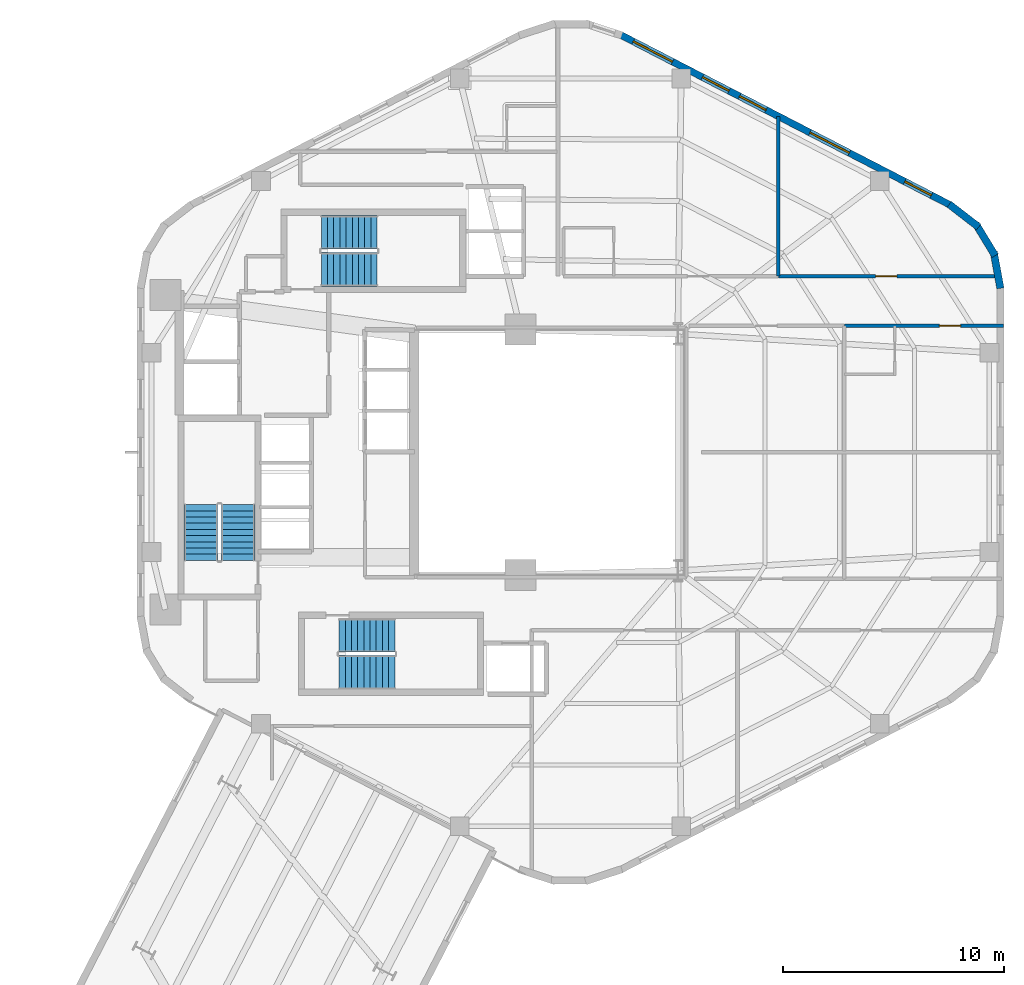
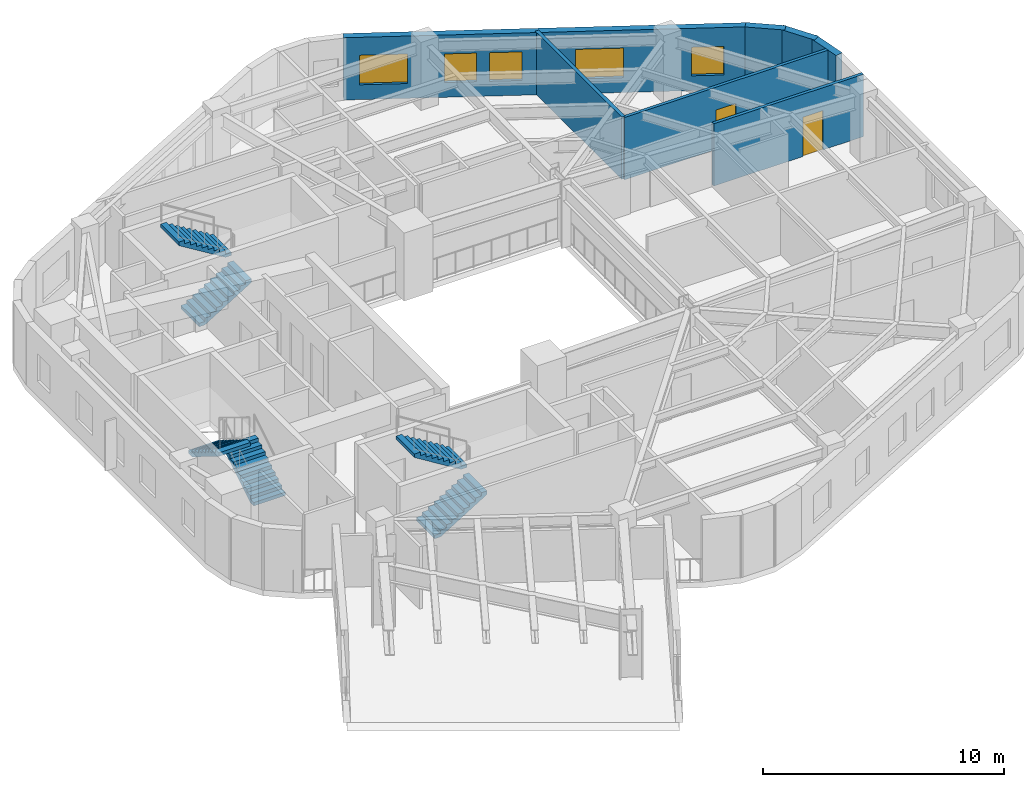
# One storey, part 8 of 9: 7 walls, 6 stair flights, 5 windows, 2 doors, 7 openings, 3 elements without a shape of their own.
"""IFC4 building model written with IfcOpenShell, lengths in metres."""

from ifc_helpers import new_model, si_unit, direction, frame, frame_2d, origin, place, context, subcontext, project, spatial, polyline, rectangle, outline, extrude, material, layer, layer_set, type_object, element, fill, aggregate, save


model = new_model("IFC4")

# Units and contexts
model_context = context("Model", 3, precision=1e-05, world=origin(), true_north=direction((0.0, 1.0)))
body_context = subcontext(model_context, "Body", "Model", "MODEL_VIEW")
ifc_project = project(units=[si_unit("LENGTHUNIT", "METRE"), si_unit("AREAUNIT", "SQUARE_METRE"), si_unit("VOLUMEUNIT", "CUBIC_METRE"), si_unit("PLANEANGLEUNIT", "RADIAN"), si_unit("MASSUNIT", "GRAM", prefix="KILO"), si_unit("THERMODYNAMICTEMPERATUREUNIT", "KELVIN"), si_unit("POWERUNIT", "WATT")], contexts=[model_context])

# Site, building, storey
site_placement = place(None, origin())
site = spatial("IfcSite", under=ifc_project, at=site_placement, CompositionType="ELEMENT")
building_placement = place(site_placement, origin())
building = spatial("IfcBuilding", under=site, at=building_placement, Name="Skarre Station Tower", CompositionType="ELEMENT")
storey_placement = place(building_placement, frame((0.0, 0.0, 177.449951171875)))
storey = spatial("IfcBuildingStorey", under=building, at=storey_placement, Name="L48", CompositionType="ELEMENT", Elevation=177.449951171875)

# Wall, opening, door
ifc_material_1 = material(Name="Acoustic Steel-Stud Gypsum Partition", Category="steel")
ifc_layer_1 = layer(ifc_material_1, 0.14990234375, Name="Acoustic Steel-Stud Gypsum Partition")
ifc_layer_set_1 = layer_set([ifc_layer_1], Name="Acoustic Steel-Stud Gypsum Partition")
wall_type_1 = type_object("IfcWallType", Name="Fire-Rated Corridor Acoustic Partition 150", PredefinedType="PARTITIONING", material=ifc_layer_set_1)
wall_1_placement = place(storey_placement, frame((53.969970703125, 31.9599609375, 0.0), z_axis=(0.0, 0.0, 1.0), x_axis=(-1.0, 0.0, 0.0)))
wall_1 = element("IfcWall", 1, at=wall_1_placement, inside=storey, type_object=wall_type_1, Name="L48 Interior Partition WL-PT-L48-NW2-CW", PredefinedType="PARTITIONING", context=body_context, shape_type="SweptSolid", body=[
    extrude(rectangle(XDim=9.974853515625, YDim=0.14990234375, at=frame_2d((4.9873046875, 0.0))), origin(), (0.0, 0.0, 1.0), 3.16015625),
])
opening_1_placement = place(wall_1_placement, frame((4.626953125, 0.0, 0.0)))
opening_1 = element("IfcOpeningElement", 2, at=opening_1_placement, cuts=wall_1, Name="Opening DR-FD60", PredefinedType="OPENING", context=body_context, shape_type="SweptSolid", body=[
    extrude(rectangle(XDim=0.9599609375, YDim=2.0, at=frame_2d((0.47998046875, 1.0))), frame((0.0, 0.0849609375, 0.0), z_axis=(0.0, -1.0, 0.0), x_axis=(1.0, 0.0, 0.0)), (0.0, 0.0, 1.0), 0.169921875),
])
ifc_material_2 = material(Name="Nordic White-Oak Veneer Solid-Core Fire Leaf", Category="wood")
door_type = type_object("IfcDoorType", Name="Corridor Suite Entry Fire Door FD60 960x2150", OperationType="SINGLE_SWING_LEFT", PredefinedType="DOOR", material=ifc_material_2)
door_1_placement = place(opening_1_placement, origin())
door_1 = element("IfcDoor", 3, at=door_1_placement, inside=storey, type_object=door_type, Name="L48 NW2 Entry Door", OperationType="SINGLE_SWING_LEFT", OverallHeight=2.0, OverallWidth=0.9599609375, PredefinedType="DOOR", context=body_context, shape_type="SweptSolid", body=[
    extrude(rectangle(XDim=0.9599609375, YDim=2.0, at=frame_2d((0.47998046875, 1.0))), frame((0.0, 0.02490234375, 0.0), z_axis=(0.0, -1.0, 0.0), x_axis=(1.0, 0.0, 0.0)), (0.0, 0.0, 1.0), 0.050048828125),
])
fill(opening_1, door_1)

wall_2_placement = place(storey_placement, frame((46.986083984375, 29.7099609375, 0.0), z_axis=(0.0, 0.0, 1.0), x_axis=(1.0, 0.0, 0.0)))
wall_2 = element("IfcWall", 4, at=wall_2_placement, inside=storey, type_object=wall_type_1, Name="L48 Interior Partition WL-PT-L48-EWN2-CW", PredefinedType="PARTITIONING", context=body_context, shape_type="SweptSolid", body=[
    extrude(rectangle(XDim=7.176025390625, YDim=0.14990234375, at=frame_2d((3.587890625, 0.0))), origin(), (0.0, 0.0, 1.0), 3.16015625),
])
opening_2_placement = place(wall_2_placement, frame((4.282958984375, 0.0, 0.0)))
opening_2 = element("IfcOpeningElement", 5, at=opening_2_placement, cuts=wall_2, Name="Opening DR-FD60", PredefinedType="OPENING", context=body_context, shape_type="SweptSolid", body=[
    extrude(rectangle(XDim=0.9599609375, YDim=2.0, at=frame_2d((0.47998046875, 1.0))), frame((0.0, 0.0849609375, 0.0), z_axis=(0.0, -1.0, 0.0), x_axis=(1.0, 0.0, 0.0)), (0.0, 0.0, 1.0), 0.169921875),
])
door_2_placement = place(opening_2_placement, origin())
door_2 = element("IfcDoor", 6, at=door_2_placement, inside=storey, type_object=door_type, Name="L48 EWN2 Entry Door", OperationType="SINGLE_SWING_LEFT", OverallHeight=2.0, OverallWidth=0.9599609375, PredefinedType="DOOR", context=body_context, shape_type="SweptSolid", body=[
    extrude(rectangle(XDim=0.9599609375, YDim=2.0, at=frame_2d((0.47998046875, 1.0))), frame((0.0, 0.02490234375, 0.0), z_axis=(0.0, -1.0, 0.0), x_axis=(1.0, 0.0, 0.0)), (0.0, 0.0, 1.0), 0.050048828125),
])
fill(opening_2, door_2)

# Walls
ifc_material_3 = material(Name="Precast concrete C45/55", Category="concrete")
ifc_layer_2 = layer(ifc_material_3, 0.330078125, Name="Precast concrete C45/55")
ifc_layer_set_2 = layer_set([ifc_layer_2], Name="Precast concrete C45/55")
wall_type_2 = type_object("IfcWallType", Name="Nordic Rounded Corner Precast Wall 330", PredefinedType="STANDARD", material=ifc_layer_set_2)
wall_3_placement = place(storey_placement, frame((51.7109375, 35.199951171875, 0.0), z_axis=(0.0, 0.0, 1.0), x_axis=(0.791464279355, -0.611215423976, 0.0)))
element("IfcWall", 7, at=wall_3_placement, inside=storey, type_object=wall_type_2, Name="L48 Rounded Corner Precast Wall F0-1", PredefinedType="STANDARD", context=body_context, shape_type="SweptSolid", body=[
    extrude(rectangle(XDim=1.6767578125, YDim=0.330078125, at=frame_2d((0.83837890625, 0.0))), origin(), (0.0, 0.0, 1.0), 3.16015625),
])
wall_4_placement = place(storey_placement, frame((52.912109375, 34.31494140625, 0.0), z_axis=(0.0, 0.0, 1.0), x_axis=(0.520219286058, -0.85403272444, 0.0)))
element("IfcWall", 8, at=wall_4_placement, inside=storey, type_object=wall_type_2, Name="L48 Rounded Corner Precast Wall F0-2", PredefinedType="STANDARD", context=body_context, shape_type="SweptSolid", body=[
    extrude(rectangle(XDim=1.677734375, YDim=0.330078125, at=frame_2d((0.8388671875, 0.0))), origin(), (0.0, 0.0, 1.0), 3.16015625),
])
wall_5_placement = place(storey_placement, frame((53.718017578125, 33.056884765625, 0.0), z_axis=(0.0, 0.0, 1.0), x_axis=(0.180717642671, -0.983535019014, 0.0)))
element("IfcWall", 9, at=wall_5_placement, inside=storey, type_object=wall_type_2, Name="L48 Rounded Corner Precast Wall F0-3", PredefinedType="STANDARD", context=body_context, shape_type="SweptSolid", body=[
    extrude(rectangle(XDim=1.676513671875, YDim=0.330078125, at=frame_2d((0.83837890625, 0.0))), origin(), (0.0, 0.0, 1.0), 3.16015625),
])

# Wall, openings, windows
ifc_layer_3 = layer(ifc_material_3, 0.31005859375, Name="Precast concrete C45/55")
ifc_layer_set_3 = layer_set([ifc_layer_3], Name="Precast concrete C45/55")
wall_type_3 = type_object("IfcWallType", Name="Nordic Upper-Zone Precast Facet Wall 310", PredefinedType="STANDARD", material=ifc_layer_set_3)
wall_6_placement = place(storey_placement, frame((36.837890625, 42.87109375, 0.0), z_axis=(0.0, 0.0, 1.0), x_axis=(0.888626188278, -0.458632202867, 0.0)))
wall_6 = element("IfcWall", 10, at=wall_6_placement, inside=storey, type_object=wall_type_3, Name="L48 Facet 0 Nordic Precast Masonry Wall", PredefinedType="STANDARD", context=body_context, shape_type="SweptSolid", body=[
    extrude(rectangle(XDim=16.828369140625, YDim=0.31005859375, at=frame_2d((8.4140625, 0.0))), origin(), (0.0, 0.0, 1.0), 3.16015625),
])
opening_3_placement = place(wall_6_placement, frame((0.675048828125, 0.0, 0.75)))
opening_3 = element("IfcOpeningElement", 11, at=opening_3_placement, cuts=wall_6, Name="Opening WN-Z3A", PredefinedType="OPENING", context=body_context, shape_type="SweptSolid", body=[
    extrude(rectangle(XDim=2.0, YDim=1.5, at=frame_2d((1.0, 0.75))), frame((0.0, 0.1650390625, 0.0), z_axis=(0.0, -1.0, 0.0), x_axis=(1.0, 0.0, 0.0)), (0.0, 0.0, 1.0), 0.330078125),
])
opening_4_placement = place(wall_6_placement, frame((4.196044921875, 0.0, 0.75)))
opening_4 = element("IfcOpeningElement", 12, at=opening_4_placement, cuts=wall_6, Name="Opening WN-Z3B", PredefinedType="OPENING", context=body_context, shape_type="SweptSolid", body=[
    extrude(rectangle(XDim=1.35009765625, YDim=1.449951171875, at=frame_2d((0.675048828125, 0.72509765625))), frame((0.0, 0.1650390625, 0.0), z_axis=(0.0, -1.0, 0.0), x_axis=(1.0, 0.0, 0.0)), (0.0, 0.0, 1.0), 0.330078125),
])
opening_5_placement = place(wall_6_placement, frame((6.077880859375, 0.0, 0.75)))
opening_5 = element("IfcOpeningElement", 13, at=opening_5_placement, cuts=wall_6, Name="Opening WN-Z3B", PredefinedType="OPENING", context=body_context, shape_type="SweptSolid", body=[
    extrude(rectangle(XDim=1.35009765625, YDim=1.449951171875, at=frame_2d((0.675048828125, 0.72509765625))), frame((0.0, 0.1650390625, 0.0), z_axis=(0.0, -1.0, 0.0), x_axis=(1.0, 0.0, 0.0)), (0.0, 0.0, 1.0), 0.330078125),
])
opening_6_placement = place(wall_6_placement, frame((9.657958984375, 0.0, 0.75)))
opening_6 = element("IfcOpeningElement", 14, at=opening_6_placement, cuts=wall_6, Name="Opening WN-Z3A", PredefinedType="OPENING", context=body_context, shape_type="SweptSolid", body=[
    extrude(rectangle(XDim=2.0, YDim=1.5, at=frame_2d((1.0, 0.75))), frame((0.0, 0.1650390625, 0.0), z_axis=(0.0, -1.0, 0.0), x_axis=(1.0, 0.0, 0.0)), (0.0, 0.0, 1.0), 0.330078125),
])
opening_7_placement = place(wall_6_placement, frame((14.47802734375, 0.0, 0.75)))
opening_7 = element("IfcOpeningElement", 15, at=opening_7_placement, cuts=wall_6, Name="Opening WN-Z3B", PredefinedType="OPENING", context=body_context, shape_type="SweptSolid", body=[
    extrude(rectangle(XDim=1.35009765625, YDim=1.449951171875, at=frame_2d((0.675048828125, 0.72509765625))), frame((0.0, 0.1650390625, 0.0), z_axis=(0.0, -1.0, 0.0), x_axis=(1.0, 0.0, 0.0)), (0.0, 0.0, 1.0), 0.330078125),
])
ifc_material_4 = material(Name="Low-Iron Triple Glazing with Bronze Anodized Frame", Category="glass")
window_type_1 = type_object("IfcWindowType", Name="Nordic Hospitality Narrow Window 1350x1450", PartitioningType="SINGLE_PANEL", PredefinedType="WINDOW", material=ifc_material_4)
window_1_placement = place(opening_4_placement, origin())
window_1 = element("IfcWindow", 16, at=window_1_placement, inside=storey, type_object=window_type_1, Name="L48 Facade Window WL-FAC-L48-F0-2", OverallHeight=1.449951171875, OverallWidth=1.35009765625, PartitioningType="SINGLE_PANEL", PredefinedType="WINDOW", context=body_context, shape_type="SweptSolid", body=[
    extrude(rectangle(XDim=1.35009765625, YDim=1.449951171875, at=frame_2d((0.675048828125, 0.72509765625))), frame((0.0, 0.030029296875, 0.0), z_axis=(0.0, -1.0, 0.0), x_axis=(1.0, 0.0, 0.0)), (0.0, 0.0, 1.0), 0.06005859375),
])
fill(opening_4, window_1)
window_2_placement = place(opening_5_placement, origin())
window_2 = element("IfcWindow", 17, at=window_2_placement, inside=storey, type_object=window_type_1, Name="L48 Facade Window WL-FAC-L48-F0-3", OverallHeight=1.449951171875, OverallWidth=1.35009765625, PartitioningType="SINGLE_PANEL", PredefinedType="WINDOW", context=body_context, shape_type="SweptSolid", body=[
    extrude(rectangle(XDim=1.35009765625, YDim=1.449951171875, at=frame_2d((0.675048828125, 0.72509765625))), frame((0.0, 0.030029296875, 0.0), z_axis=(0.0, -1.0, 0.0), x_axis=(1.0, 0.0, 0.0)), (0.0, 0.0, 1.0), 0.06005859375),
])
fill(opening_5, window_2)
window_3_placement = place(opening_7_placement, origin())
window_3 = element("IfcWindow", 18, at=window_3_placement, inside=storey, type_object=window_type_1, Name="L48 Facade Window WL-FAC-L48-F0-5", OverallHeight=1.449951171875, OverallWidth=1.35009765625, PartitioningType="SINGLE_PANEL", PredefinedType="WINDOW", context=body_context, shape_type="SweptSolid", body=[
    extrude(rectangle(XDim=1.35009765625, YDim=1.449951171875, at=frame_2d((0.675048828125, 0.72509765625))), frame((0.0, 0.030029296875, 0.0), z_axis=(0.0, -1.0, 0.0), x_axis=(1.0, 0.0, 0.0)), (0.0, 0.0, 1.0), 0.06005859375),
])
fill(opening_7, window_3)
window_type_2 = type_object("IfcWindowType", Name="Nordic Hospitality Window 2000x1500", PartitioningType="SINGLE_PANEL", PredefinedType="WINDOW", material=ifc_material_4)
window_4_placement = place(opening_3_placement, origin())
window_4 = element("IfcWindow", 19, at=window_4_placement, inside=storey, type_object=window_type_2, Name="L48 Facade Window WL-FAC-L48-F0-1", OverallHeight=1.5, OverallWidth=2.0, PartitioningType="SINGLE_PANEL", PredefinedType="WINDOW", context=body_context, shape_type="SweptSolid", body=[
    extrude(rectangle(XDim=2.0, YDim=1.5, at=frame_2d((1.0, 0.75))), frame((0.0, 0.030029296875, 0.0), z_axis=(0.0, -1.0, 0.0), x_axis=(1.0, 0.0, 0.0)), (0.0, 0.0, 1.0), 0.06005859375),
])
fill(opening_3, window_4)
window_5_placement = place(opening_6_placement, origin())
window_5 = element("IfcWindow", 20, at=window_5_placement, inside=storey, type_object=window_type_2, Name="L48 Facade Window WL-FAC-L48-F0-4", OverallHeight=1.5, OverallWidth=2.0, PartitioningType="SINGLE_PANEL", PredefinedType="WINDOW", context=body_context, shape_type="SweptSolid", body=[
    extrude(rectangle(XDim=2.0, YDim=1.5, at=frame_2d((1.0, 0.75))), frame((0.0, 0.030029296875, 0.0), z_axis=(0.0, -1.0, 0.0), x_axis=(1.0, 0.0, 0.0)), (0.0, 0.0, 1.0), 0.06005859375),
])
fill(opening_6, window_5)

# Wall
ifc_layer_4 = layer(ifc_material_1, 0.1650390625, Name="Acoustic Steel-Stud Gypsum Partition")
ifc_layer_set_4 = layer_set([ifc_layer_4], Name="Acoustic Steel-Stud Gypsum Partition")
wall_type_4 = type_object("IfcWallType", Name="Suite Demising Acoustic Partition 165", PredefinedType="PARTITIONING", material=ifc_layer_set_4)
wall_7_placement = place(storey_placement, frame((43.989990234375, 31.969970703125, 0.0), z_axis=(0.0, 0.0, 1.0), x_axis=(0.0, 1.0, 0.0)))
element("IfcWall", 21, at=wall_7_placement, inside=storey, type_object=wall_type_4, Name="L48 Interior Partition WL-PT-L48-NW-P1", PredefinedType="PARTITIONING", context=body_context, shape_type="SweptSolid", body=[
    extrude(rectangle(XDim=7.193115234375, YDim=0.1650390625, at=frame_2d((3.5966796875, 0.0))), origin(), (0.0, 0.0, 1.0), 3.16015625),
])

# Stair, stair flights
ifc_material_5 = material(Name="Concrete C40/50", Category="concrete")
stair_type_1 = type_object("IfcStairType", Name="Reinforced Concrete Exit Stair ST-1", PredefinedType="HALF_TURN_STAIR", material=ifc_material_5)
stair_1_placement = place(storey_placement, origin())
stair_1 = element("IfcStair", 22, at=stair_1_placement, inside=storey, type_object=stair_type_1, Name="L48 Core Exit Stair ST-1", PredefinedType="HALF_TURN_STAIR")
stair_flight_type_1 = type_object("IfcStairFlightType", Name="Reinforced Concrete Stair Flight ST-1", PredefinedType="STRAIGHT", material=ifc_material_5)
stair_flight_1_placement = place(storey_placement, frame((19.590087890625, 19.1201171875, 0.0), z_axis=(0.0, 0.0, 1.0), x_axis=(0.0, 1.0, 0.0)))
stair_flight_1 = element("IfcStairFlight", 23, at=stair_flight_1_placement, type_object=stair_flight_type_1, Name="ST-1 flight 1", NumberOfRisers=10, NumberOfTreads=9, PredefinedType="STRAIGHT", RiserHeight=0.1725, TreadLength=0.28, context=body_context, shape_type="SweptSolid", body=[
    extrude(outline(polyline([(0.0, 0.0), (0.0, 0.172607421875), (0.280029296875, 0.172607421875), (0.280029296875, 0.344970703125), (0.56005859375, 0.344970703125), (0.56005859375, 0.517578125), (0.840087890625, 0.517578125), (0.840087890625, 0.68994140625), (1.1201171875, 0.68994140625), (1.1201171875, 0.862548828125), (1.39990234375, 0.862548828125), (1.39990234375, 1.034912109375), (1.679931640625, 1.034912109375), (1.679931640625, 1.20751953125), (1.9599609375, 1.20751953125), (1.9599609375, 1.3798828125), (2.239990234375, 1.3798828125), (2.239990234375, 1.552490234375), (2.52001953125, 1.552490234375), (2.52001953125, 1.72509765625), (2.52001953125, 1.37646484375), (0.285888671875, 0.0), (0.0, 0.0)])), frame((0.0, 0.760009765625, 0.0), z_axis=(0.0, -1.0, 0.0), x_axis=(1.0, 0.0, 0.0)), (0.0, 0.0, 1.0), 1.52001953125),
])
stair_flight_2_placement = place(storey_placement, frame((17.909912109375, 21.639892578125, 1.72509765625), z_axis=(0.0, 0.0, 1.0), x_axis=(0.0, -1.0, 0.0)))
stair_flight_2 = element("IfcStairFlight", 24, at=stair_flight_2_placement, type_object=stair_flight_type_1, Name="ST-1 flight 2", NumberOfRisers=10, NumberOfTreads=9, PredefinedType="STRAIGHT", RiserHeight=0.1725, TreadLength=0.28, context=body_context, shape_type="SweptSolid", body=[
    extrude(outline(polyline([(0.0, 0.0), (0.0, 0.172607421875), (0.280029296875, 0.172607421875), (0.280029296875, 0.344970703125), (0.56005859375, 0.344970703125), (0.56005859375, 0.517578125), (0.840087890625, 0.517578125), (0.840087890625, 0.68994140625), (1.1201171875, 0.68994140625), (1.1201171875, 0.862548828125), (1.39990234375, 0.862548828125), (1.39990234375, 1.034912109375), (1.679931640625, 1.034912109375), (1.679931640625, 1.20751953125), (1.9599609375, 1.20751953125), (1.9599609375, 1.3798828125), (2.239990234375, 1.3798828125), (2.239990234375, 1.552490234375), (2.52001953125, 1.552490234375), (2.52001953125, 1.72509765625), (2.52001953125, 1.37646484375), (0.285888671875, 0.0), (0.0, 0.0)])), frame((0.0, 0.760009765625, 0.0), z_axis=(0.0, -1.0, 0.0), x_axis=(1.0, 0.0, 0.0)), (0.0, 0.0, 1.0), 1.52001953125),
])
aggregate(stair_1, [stair_flight_1, stair_flight_2])

stair_type_2 = type_object("IfcStairType", Name="Reinforced Concrete Exit Stair ST-2", PredefinedType="HALF_TURN_STAIR", material=ifc_material_5)
stair_2_placement = place(storey_placement, origin())
stair_2 = element("IfcStair", 25, at=stair_2_placement, inside=storey, type_object=stair_type_2, Name="L48 Core Exit Stair ST-2", PredefinedType="HALF_TURN_STAIR")
stair_flight_type_2 = type_object("IfcStairFlightType", Name="Reinforced Concrete Stair Flight ST-2", PredefinedType="STRAIGHT", material=ifc_material_5)
stair_flight_3_placement = place(storey_placement, frame((24.14990234375, 14.06005859375, 0.0), z_axis=(0.0, 0.0, 1.0), x_axis=(1.0, 0.0, 0.0)))
stair_flight_3 = element("IfcStairFlight", 26, at=stair_flight_3_placement, type_object=stair_flight_type_2, Name="ST-2 flight 1", NumberOfRisers=10, NumberOfTreads=9, PredefinedType="STRAIGHT", RiserHeight=0.1725, TreadLength=0.28, context=body_context, shape_type="SweptSolid", body=[
    extrude(outline(polyline([(0.0, 0.0), (0.0, 0.172607421875), (0.280029296875, 0.172607421875), (0.280029296875, 0.344970703125), (0.56005859375, 0.344970703125), (0.56005859375, 0.517578125), (0.840087890625, 0.517578125), (0.840087890625, 0.68994140625), (1.1201171875, 0.68994140625), (1.1201171875, 0.862548828125), (1.39990234375, 0.862548828125), (1.39990234375, 1.034912109375), (1.679931640625, 1.034912109375), (1.679931640625, 1.20751953125), (1.9599609375, 1.20751953125), (1.9599609375, 1.3798828125), (2.239990234375, 1.3798828125), (2.239990234375, 1.552490234375), (2.52001953125, 1.552490234375), (2.52001953125, 1.72509765625), (2.52001953125, 1.37646484375), (0.285888671875, 0.0), (0.0, 0.0)])), frame((0.0, 0.760009765625, 0.0), z_axis=(0.0, -1.0, 0.0), x_axis=(1.0, 0.0, 0.0)), (0.0, 0.0, 1.0), 1.52001953125),
])
stair_flight_4_placement = place(storey_placement, frame((26.669921875, 15.739990234375, 1.72509765625), z_axis=(0.0, 0.0, 1.0), x_axis=(-1.0, 0.0, 0.0)))
stair_flight_4 = element("IfcStairFlight", 27, at=stair_flight_4_placement, type_object=stair_flight_type_2, Name="ST-2 flight 2", NumberOfRisers=10, NumberOfTreads=9, PredefinedType="STRAIGHT", RiserHeight=0.1725, TreadLength=0.28, context=body_context, shape_type="SweptSolid", body=[
    extrude(outline(polyline([(0.0, 0.0), (0.0, 0.172607421875), (0.280029296875, 0.172607421875), (0.280029296875, 0.344970703125), (0.56005859375, 0.344970703125), (0.56005859375, 0.517578125), (0.840087890625, 0.517578125), (0.840087890625, 0.68994140625), (1.1201171875, 0.68994140625), (1.1201171875, 0.862548828125), (1.39990234375, 0.862548828125), (1.39990234375, 1.034912109375), (1.679931640625, 1.034912109375), (1.679931640625, 1.20751953125), (1.9599609375, 1.20751953125), (1.9599609375, 1.3798828125), (2.239990234375, 1.3798828125), (2.239990234375, 1.552490234375), (2.52001953125, 1.552490234375), (2.52001953125, 1.72509765625), (2.52001953125, 1.37646484375), (0.285888671875, 0.0), (0.0, 0.0)])), frame((0.0, 0.760009765625, 0.0), z_axis=(0.0, -1.0, 0.0), x_axis=(1.0, 0.0, 0.0)), (0.0, 0.0, 1.0), 1.52001953125),
])
aggregate(stair_2, [stair_flight_3, stair_flight_4])

stair_type_3 = type_object("IfcStairType", Name="Reinforced Concrete Exit Stair ST-3", PredefinedType="HALF_TURN_STAIR", material=ifc_material_5)
stair_3_placement = place(storey_placement, origin())
stair_3 = element("IfcStair", 28, at=stair_3_placement, inside=storey, type_object=stair_type_3, Name="L48 Core Exit Stair ST-3", PredefinedType="HALF_TURN_STAIR")
stair_flight_type_3 = type_object("IfcStairFlightType", Name="Reinforced Concrete Stair Flight ST-3", PredefinedType="STRAIGHT", material=ifc_material_5)
stair_flight_5_placement = place(storey_placement, frame((23.35009765625, 32.260009765625, 0.0), z_axis=(0.0, 0.0, 1.0), x_axis=(1.0, 0.0, 0.0)))
stair_flight_5 = element("IfcStairFlight", 29, at=stair_flight_5_placement, type_object=stair_flight_type_3, Name="ST-3 flight 1", NumberOfRisers=10, NumberOfTreads=9, PredefinedType="STRAIGHT", RiserHeight=0.1725, TreadLength=0.28, context=body_context, shape_type="SweptSolid", body=[
    extrude(outline(polyline([(0.0, 0.0), (0.0, 0.172607421875), (0.280029296875, 0.172607421875), (0.280029296875, 0.344970703125), (0.56005859375, 0.344970703125), (0.56005859375, 0.517578125), (0.840087890625, 0.517578125), (0.840087890625, 0.68994140625), (1.1201171875, 0.68994140625), (1.1201171875, 0.862548828125), (1.39990234375, 0.862548828125), (1.39990234375, 1.034912109375), (1.679931640625, 1.034912109375), (1.679931640625, 1.20751953125), (1.9599609375, 1.20751953125), (1.9599609375, 1.3798828125), (2.239990234375, 1.3798828125), (2.239990234375, 1.552490234375), (2.52001953125, 1.552490234375), (2.52001953125, 1.72509765625), (2.52001953125, 1.37646484375), (0.285888671875, 0.0), (0.0, 0.0)])), frame((0.0, 0.760009765625, 0.0), z_axis=(0.0, -1.0, 0.0), x_axis=(1.0, 0.0, 0.0)), (0.0, 0.0, 1.0), 1.52001953125),
])
stair_flight_6_placement = place(storey_placement, frame((25.8701171875, 33.93994140625, 1.72509765625), z_axis=(0.0, 0.0, 1.0), x_axis=(-1.0, 0.0, 0.0)))
stair_flight_6 = element("IfcStairFlight", 30, at=stair_flight_6_placement, type_object=stair_flight_type_3, Name="ST-3 flight 2", NumberOfRisers=10, NumberOfTreads=9, PredefinedType="STRAIGHT", RiserHeight=0.1725, TreadLength=0.28, context=body_context, shape_type="SweptSolid", body=[
    extrude(outline(polyline([(0.0, 0.0), (0.0, 0.172607421875), (0.280029296875, 0.172607421875), (0.280029296875, 0.344970703125), (0.56005859375, 0.344970703125), (0.56005859375, 0.517578125), (0.840087890625, 0.517578125), (0.840087890625, 0.68994140625), (1.1201171875, 0.68994140625), (1.1201171875, 0.862548828125), (1.39990234375, 0.862548828125), (1.39990234375, 1.034912109375), (1.679931640625, 1.034912109375), (1.679931640625, 1.20751953125), (1.9599609375, 1.20751953125), (1.9599609375, 1.3798828125), (2.239990234375, 1.3798828125), (2.239990234375, 1.552490234375), (2.52001953125, 1.552490234375), (2.52001953125, 1.72509765625), (2.52001953125, 1.37646484375), (0.285888671875, 0.0), (0.0, 0.0)])), frame((0.0, 0.760009765625, 0.0), z_axis=(0.0, -1.0, 0.0), x_axis=(1.0, 0.0, 0.0)), (0.0, 0.0, 1.0), 1.52001953125),
])
aggregate(stair_3, [stair_flight_5, stair_flight_6])

save(model, "model.ifc")
